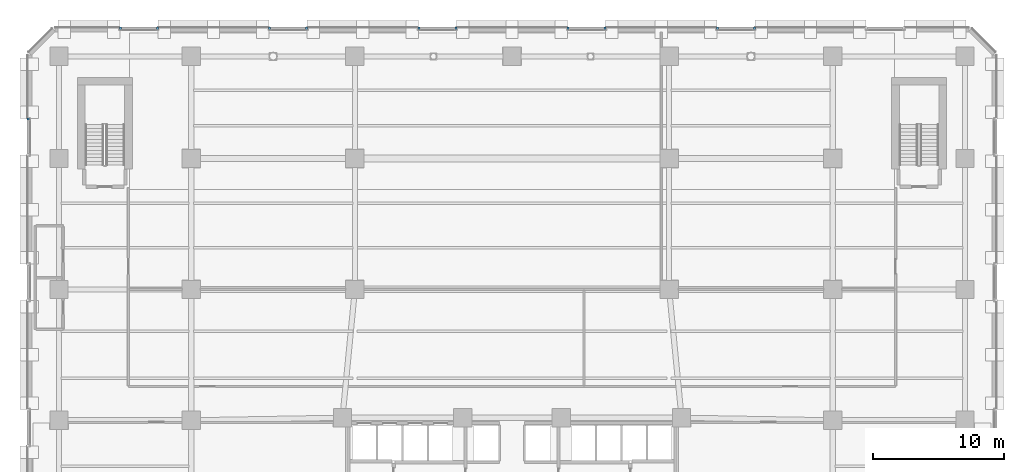
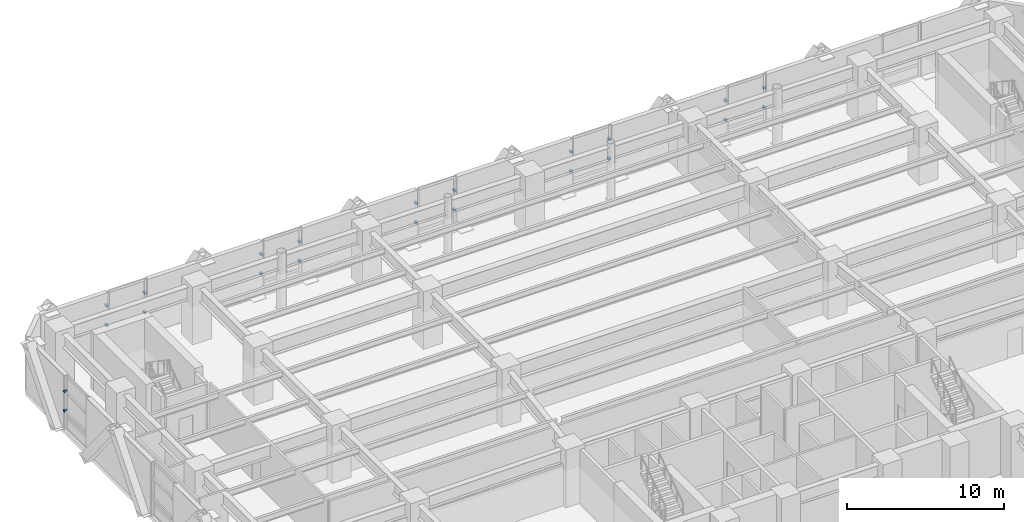
# One storey, part 18 of 26: 22 discrete accessories.
"""IFC4 building model written with IfcOpenShell, lengths in metres."""

from ifc_helpers import new_model, si_unit, direction, frame, origin, origin_2d, place, context, subcontext, project, spatial, rectangle, extrude, material, type_object, element, save


model = new_model("IFC4")

# Units and contexts
model_context = context("Model", 3, precision=1e-05, world=origin(), true_north=direction((0.0, 1.0)))
body_context = subcontext(model_context, "Body", "Model", "MODEL_VIEW")
ifc_project = project(units=[si_unit("LENGTHUNIT", "METRE"), si_unit("AREAUNIT", "SQUARE_METRE"), si_unit("VOLUMEUNIT", "CUBIC_METRE"), si_unit("PLANEANGLEUNIT", "RADIAN"), si_unit("MASSUNIT", "GRAM", prefix="KILO")], contexts=[model_context])

# Site, building, storey
site_placement = place(None, origin())
site = spatial("IfcSite", under=ifc_project, at=site_placement, CompositionType="ELEMENT")
building_placement = place(site_placement, origin())
building = spatial("IfcBuilding", under=site, at=building_placement, Name="Quenlor Broadcast Tower", CompositionType="ELEMENT")
storey_placement = place(building_placement, frame((0.0, 0.0, 14.0)))
storey = spatial("IfcBuildingStorey", under=building, at=storey_placement, Name="L03", CompositionType="ELEMENT", Elevation=14.0)

# Discrete accessories
ifc_material = material(Name="Aluminium 6063-T6", Category="aluminium")
discrete_accessory_type = type_object("IfcDiscreteAccessoryType", Name="Stainless Mullion Baguette Support Bracket", PredefinedType="BRACKET", material=ifc_material)
for number, where, z_axis, x_axis, name in (
    (1, (-29.909423828125, 24.93994140625, 1.44189453125), (0.0, 0.0, 1.0), (1.0, 0.0, 0.0), "L03 Baguette Mullion Bracket 1.1"),
    (2, (-27.090576171875, 24.93994140625, 1.44189453125), (0.0, 0.0, 1.0), (1.0, 0.0, 0.0), "L03 Baguette Mullion Bracket 1.2"),
    (3, (-29.909423828125, 24.93994140625, 2.9541015625), (0.0, 0.0, 1.0), (1.0, 0.0, 0.0), "L03 Baguette Mullion Bracket 2.1"),
    (4, (-27.090576171875, 24.93994140625, 2.9541015625), (0.0, 0.0, 1.0), (1.0, 0.0, 0.0), "L03 Baguette Mullion Bracket 2.2"),
    (5, (-18.509521484375, 24.93994140625, 1.44189453125), (0.0, 0.0, 1.0), (1.0, 0.0, 0.0), "L03 Baguette Mullion Bracket 1.1"),
    (6, (-15.6904296875, 24.93994140625, 1.44189453125), (0.0, 0.0, 1.0), (1.0, 0.0, 0.0), "L03 Baguette Mullion Bracket 1.2"),
    (7, (-18.509521484375, 24.93994140625, 2.9541015625), (0.0, 0.0, 1.0), (1.0, 0.0, 0.0), "L03 Baguette Mullion Bracket 2.1"),
    (8, (-15.6904296875, 24.93994140625, 2.9541015625), (0.0, 0.0, 1.0), (1.0, 0.0, 0.0), "L03 Baguette Mullion Bracket 2.2"),
    (9, (-7.109619140625, 24.93994140625, 1.44189453125), (0.0, 0.0, 1.0), (1.0, 0.0, 0.0), "L03 Baguette Mullion Bracket 1.1"),
    (10, (-4.29052734375, 24.93994140625, 1.44189453125), (0.0, 0.0, 1.0), (1.0, 0.0, 0.0), "L03 Baguette Mullion Bracket 1.2"),
    (11, (-7.109619140625, 24.93994140625, 2.9541015625), (0.0, 0.0, 1.0), (1.0, 0.0, 0.0), "L03 Baguette Mullion Bracket 2.1"),
    (12, (-4.29052734375, 24.93994140625, 2.9541015625), (0.0, 0.0, 1.0), (1.0, 0.0, 0.0), "L03 Baguette Mullion Bracket 2.2"),
    (13, (4.29052734375, 24.93994140625, 1.44189453125), (0.0, 0.0, 1.0), (1.0, 0.0, 0.0), "L03 Baguette Mullion Bracket 1.1"),
    (14, (7.109619140625, 24.93994140625, 1.44189453125), (0.0, 0.0, 1.0), (1.0, 0.0, 0.0), "L03 Baguette Mullion Bracket 1.2"),
    (15, (4.29052734375, 24.93994140625, 2.9541015625), (0.0, 0.0, 1.0), (1.0, 0.0, 0.0), "L03 Baguette Mullion Bracket 2.1"),
    (16, (7.109619140625, 24.93994140625, 2.9541015625), (0.0, 0.0, 1.0), (1.0, 0.0, 0.0), "L03 Baguette Mullion Bracket 2.2"),
    (17, (15.6904296875, 24.93994140625, 1.44189453125), (0.0, 0.0, 1.0), (1.0, 0.0, 0.0), "L03 Baguette Mullion Bracket 1.1"),
    (18, (18.509521484375, 24.93994140625, 1.44189453125), (0.0, 0.0, 1.0), (1.0, 0.0, 0.0), "L03 Baguette Mullion Bracket 1.2"),
    (19, (15.6904296875, 24.93994140625, 2.9541015625), (0.0, 0.0, 1.0), (1.0, 0.0, 0.0), "L03 Baguette Mullion Bracket 2.1"),
    (20, (18.509521484375, 24.93994140625, 2.9541015625), (0.0, 0.0, 1.0), (1.0, 0.0, 0.0), "L03 Baguette Mullion Bracket 2.2"),
    (21, (-36.93994140625, 18.00634765625, 1.44189453125), (0.0, 0.0, 1.0), (0.0, 1.0, 0.0), "L03 Baguette Mullion Bracket 1.2"),
    (22, (-36.93994140625, 18.00634765625, 2.9541015625), (0.0, 0.0, 1.0), (0.0, 1.0, 0.0), "L03 Baguette Mullion Bracket 2.2"),
):
    element("IfcDiscreteAccessory", number, at=place(storey_placement, frame(where, z_axis=z_axis, x_axis=x_axis)), inside=storey, type_object=discrete_accessory_type, Name=name, PredefinedType="BRACKET", context=body_context, shape_type="SweptSolid", body=[
        extrude(rectangle(XDim=0.159912109375, YDim=0.239990234375, at=origin_2d()), origin(), (0.0, 0.0, 1.0), 0.139892578125),
    ])

save(model, "model.ifc")
